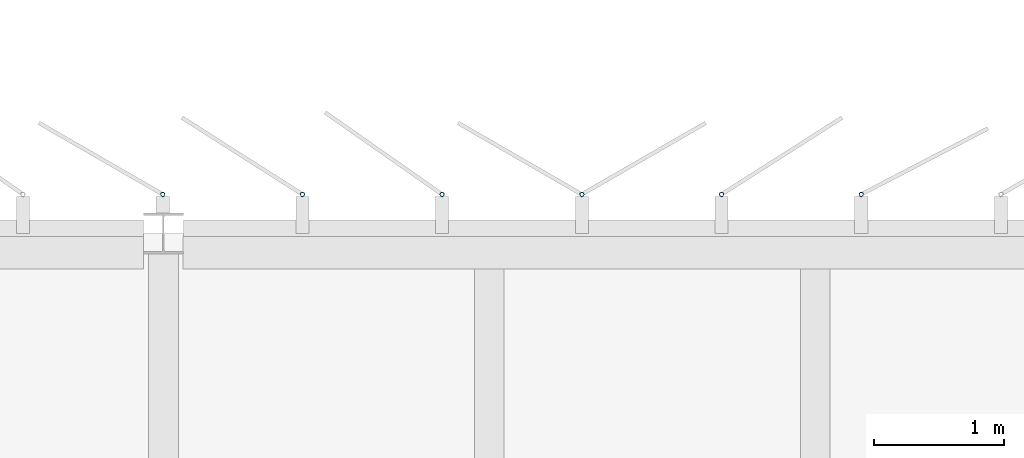
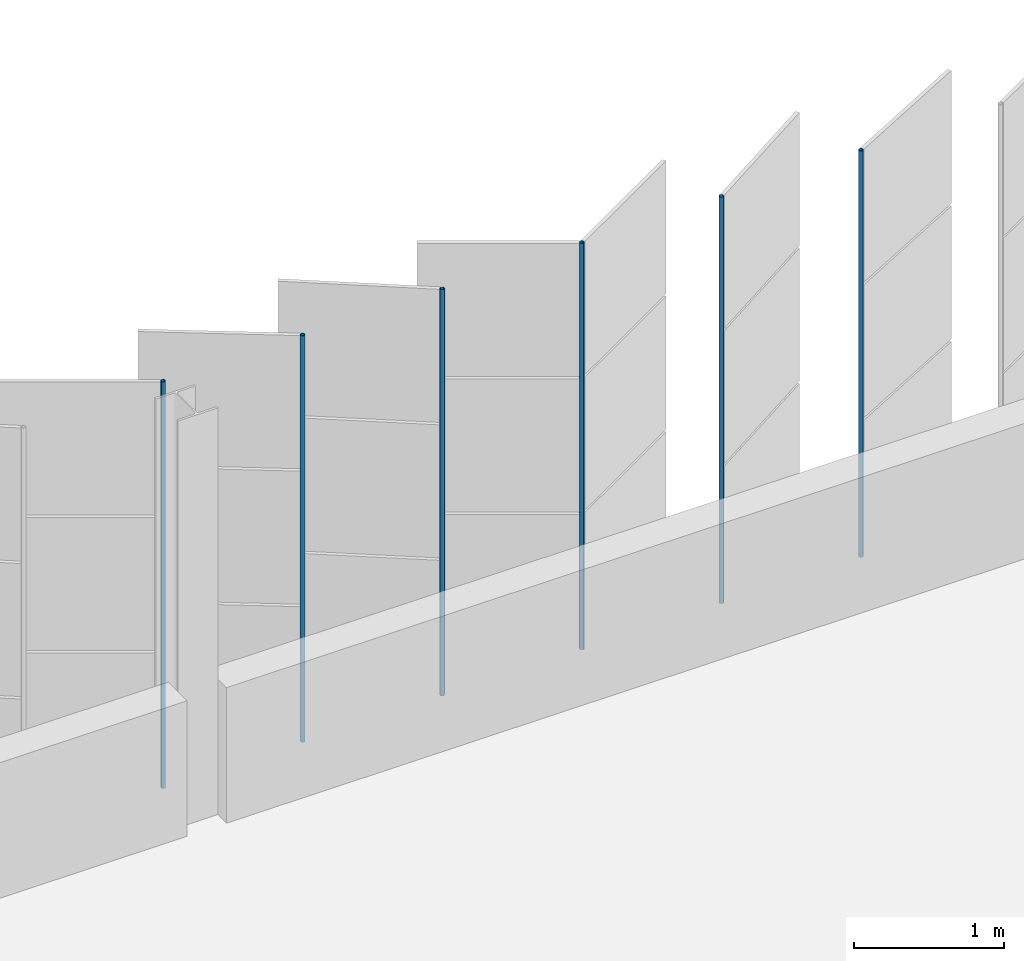
# One storey, part 160 of 214: 6 discrete accessories.
"""IFC4 building model written with IfcOpenShell, lengths in metres."""

from ifc_helpers import new_model, si_unit, direction, frame, origin, origin_2d, place, context, subcontext, project, spatial, hollow_circle, extrude, material, material_profile, profile_set, type_object, element, save


model = new_model("IFC4")

# Units and contexts
model_context = context("Model", 3, precision=1e-05, world=origin(), true_north=direction((0.0, 1.0)))
body_context = subcontext(model_context, "Body", "Model", "MODEL_VIEW")
ifc_project = project(units=[si_unit("LENGTHUNIT", "METRE"), si_unit("AREAUNIT", "SQUARE_METRE"), si_unit("VOLUMEUNIT", "CUBIC_METRE"), si_unit("PLANEANGLEUNIT", "RADIAN"), si_unit("MASSUNIT", "GRAM", prefix="KILO")], contexts=[model_context])

# Site, building, storey
site_placement = place(None, origin())
site = spatial("IfcSite", under=ifc_project, at=site_placement, CompositionType="ELEMENT")
building_placement = place(site_placement, origin())
building = spatial("IfcBuilding", under=site, at=building_placement, Name="Parallax Yard Mobility Hub", CompositionType="ELEMENT")
storey_placement = place(building_placement, frame((0.0, 0.0, 3.300048828125)))
storey = spatial("IfcBuildingStorey", under=building, at=storey_placement, Name="L01", CompositionType="ELEMENT", Elevation=3.300048828125)

# Discrete accessories
ifc_material = material(Name="Steel ASTM A500 Gr C, hot-dip galvanised", Category="steel")
ifc_material_profile = material_profile(ifc_material, hollow_circle(Radius=0.016845703125, WallThickness=0.003173828125, at=origin_2d()), Name="CHS 33.7x3.2")
ifc_profile_set = profile_set([ifc_material_profile], Name="Steel ASTM A500 Gr C, hot-dip galvanised")
discrete_accessory_type = type_object("IfcDiscreteAccessoryType", Name="Hinge post CHS 33.7x3.2", PredefinedType="BRACKET", material=ifc_profile_set)
for number, where, z_axis, x_axis, name in (
    (1, (117.8525390625, 142.800048828125, 0.0), (0.0, 0.0, 1.0), (1.0, 0.0, 0.0), "Hinge post bay 58.3 level L01"),
    (2, (116.781005859375, 142.800048828125, 0.0), (0.0, 0.0, 1.0), (1.0, 0.0, 0.0), "Hinge post bay 58.4 level L01"),
    (3, (115.70947265625, 142.800048828125, 0.0), (0.0, 0.0, 1.0), (1.0, 0.0, 0.0), "Hinge post bay 58.5 level L01"),
    (4, (114.637939453125, 142.800048828125, 0.0), (0.0, 0.0, 1.0), (1.0, 0.0, 0.0), "Hinge post bay 58.6 level L01"),
    (5, (113.56640625, 142.800048828125, 0.0), (0.0, 0.0, 1.0), (1.0, 0.0, 0.0), "Hinge post bay 58.7 level L01"),
    (6, (112.494873046875, 142.800048828125, 0.0), (0.0, 0.0, 1.0), (1.0, 0.0, 0.0), "Hinge post bay 59.1 level L01"),
):
    element("IfcDiscreteAccessory", number, at=place(storey_placement, frame(where, z_axis=z_axis, x_axis=x_axis)), inside=storey, type_object=discrete_accessory_type, Name=name, PredefinedType="BRACKET", context=body_context, shape_type="SweptSolid", body=[
        extrude(hollow_circle(Radius=0.016845703125, WallThickness=0.003173828125, at=origin_2d()), origin(), (0.0, 0.0, 1.0), 3.300048828125),
    ])

save(model, "model.ifc")
